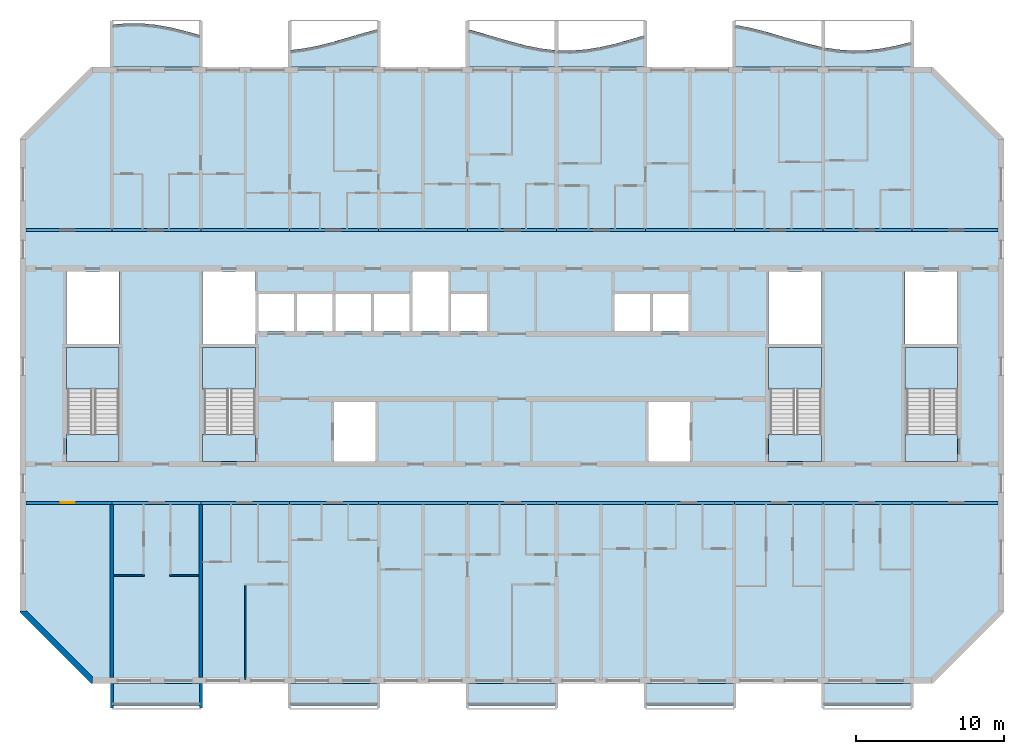
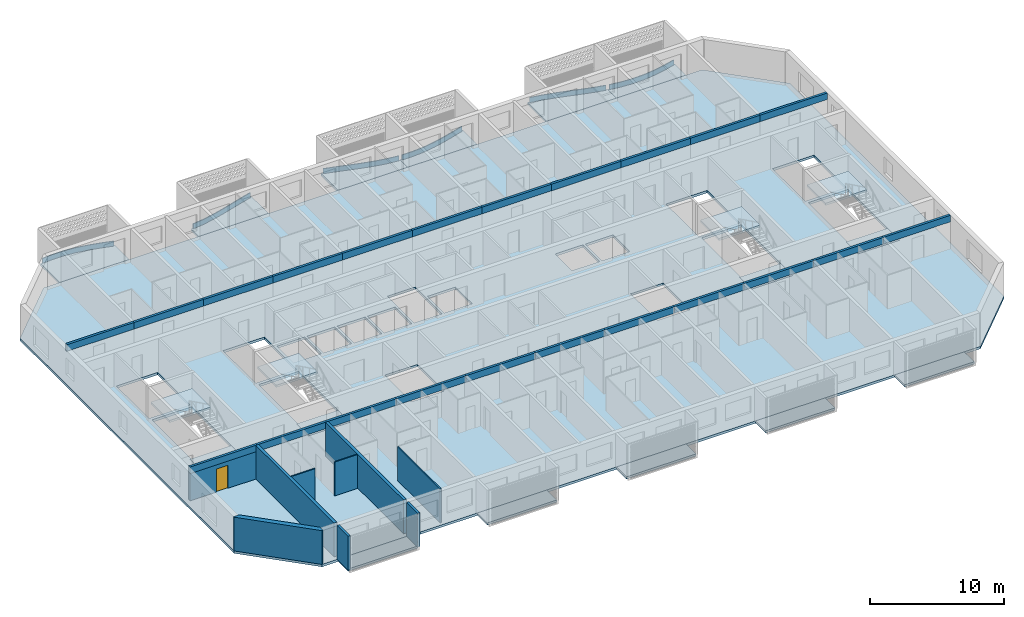
# One storey, part 1 of 26: 22 beams, 20 slabs, 9 walls, 6 plates, 1 door, 1 opening, 4 elements without a shape of their own.
"""IFC4 building model written with IfcOpenShell, lengths in metres."""

from ifc_helpers import new_model, si_unit, direction, frame, frame_2d, origin, origin_2d, place, context, subcontext, project, spatial, polyline, rectangle, outline, extrude, source, transform, mapped, material, layer, layer_set, material_profile, profile_set, type_object, element, fill, aggregate, save


model = new_model("IFC4")

# Units and contexts
model_context = context("Model", 3, precision=1e-05, world=origin(), true_north=direction((0.0, 1.0)))
body_context = subcontext(model_context, "Body", "Model", "MODEL_VIEW")
ifc_project = project(units=[si_unit("LENGTHUNIT", "METRE"), si_unit("AREAUNIT", "SQUARE_METRE"), si_unit("VOLUMEUNIT", "CUBIC_METRE"), si_unit("PLANEANGLEUNIT", "RADIAN"), si_unit("MASSUNIT", "GRAM", prefix="KILO")], contexts=[model_context])

# Site, building, storey
site_placement = place(None, origin())
site = spatial("IfcSite", under=ifc_project, at=site_placement, CompositionType="ELEMENT")
building_placement = place(site_placement, origin())
building = spatial("IfcBuilding", under=site, at=building_placement, Name="Poui Terraces", CompositionType="ELEMENT")
storey_placement = place(building_placement, frame((0.0, 0.0, 178.5)))
storey = spatial("IfcBuildingStorey", under=building, at=storey_placement, Name="L49", CompositionType="ELEMENT", Elevation=178.5)

# Beams
ifc_material_1 = material(Name="Concrete 50 MPa", Category="concrete")
ifc_material_profile = material_profile(ifc_material_1, rectangle(XDim=0.199951171875, YDim=0.60009765625, at=origin_2d()), Name="RC 200x600")
ifc_profile_set = profile_set([ifc_material_profile], Name="Concrete 50 MPa")
beam_type = type_object("IfcBeamType", Name="COUPLING BEAM 200x600 50MPa", PredefinedType="BEAM", material=ifc_profile_set)
shared_shape_1 = source(origin(), body_context, "Body", "SweptSolid", [
    extrude(rectangle(XDim=0.199951171875, YDim=0.60009765625, at=origin_2d()), origin(), (0.0, 0.0, 1.0), 5.800048828125),
])
for number, where, z_axis, x_axis, name in (
    (1, (18.199951171875, 12.0, 2.780029296875), (1.0, 0.0, 0.0), (0.0, 1.0, 0.0), "COUPLING BEAM LINE B BAY 1"),
    (2, (78.0, 12.0, 2.780029296875), (1.0, 0.0, 0.0), (0.0, 1.0, 0.0), "COUPLING BEAM LINE B BAY 11"),
    (3, (18.199951171875, 30.39990234375, 2.780029296875), (1.0, 0.0, 0.0), (0.0, 1.0, 0.0), "COUPLING BEAM LINE E BAY 1"),
    (4, (78.0, 30.39990234375, 2.780029296875), (1.0, 0.0, 0.0), (0.0, 1.0, 0.0), "COUPLING BEAM LINE E BAY 11"),
):
    element("IfcBeam", number, at=place(storey_placement, frame(where, z_axis=z_axis, x_axis=x_axis)), inside=storey, type_object=beam_type, Name=name, PredefinedType="BEAM", context=body_context, shape_type="MappedRepresentation", body=[
        mapped(shared_shape_1, transform((0.0, 0.0, 0.0))),
    ])
shared_shape_2 = source(origin(), body_context, "Body", "SweptSolid", [
    extrude(rectangle(XDim=0.199951171875, YDim=0.60009765625, at=origin_2d()), origin(), (0.0, 0.0, 1.0), 6.0),
])
for number, where, z_axis, x_axis, name in (
    (5, (24.0, 12.0, 2.780029296875), (1.0, 0.0, 0.0), (0.0, 1.0, 0.0), "COUPLING BEAM LINE B BAY 2"),
    (6, (30.0, 12.0, 2.780029296875), (1.0, 0.0, 0.0), (0.0, 1.0, 0.0), "COUPLING BEAM LINE B BAY 3"),
    (7, (36.0, 12.0, 2.780029296875), (1.0, 0.0, 0.0), (0.0, 1.0, 0.0), "COUPLING BEAM LINE B BAY 4"),
    (8, (42.0, 12.0, 2.780029296875), (1.0, 0.0, 0.0), (0.0, 1.0, 0.0), "COUPLING BEAM LINE B BAY 5"),
    (9, (48.0, 12.0, 2.780029296875), (1.0, 0.0, 0.0), (0.0, 1.0, 0.0), "COUPLING BEAM LINE B BAY 6"),
    (10, (54.0, 12.0, 2.780029296875), (1.0, 0.0, 0.0), (0.0, 1.0, 0.0), "COUPLING BEAM LINE B BAY 7"),
    (11, (60.0, 12.0, 2.780029296875), (1.0, 0.0, 0.0), (0.0, 1.0, 0.0), "COUPLING BEAM LINE B BAY 8"),
    (12, (66.0, 12.0, 2.780029296875), (1.0, 0.0, 0.0), (0.0, 1.0, 0.0), "COUPLING BEAM LINE B BAY 9"),
    (13, (72.0, 12.0, 2.780029296875), (1.0, 0.0, 0.0), (0.0, 1.0, 0.0), "COUPLING BEAM LINE B BAY 10"),
    (14, (24.0, 30.39990234375, 2.780029296875), (1.0, 0.0, 0.0), (0.0, 1.0, 0.0), "COUPLING BEAM LINE E BAY 2"),
    (15, (30.0, 30.39990234375, 2.780029296875), (1.0, 0.0, 0.0), (0.0, 1.0, 0.0), "COUPLING BEAM LINE E BAY 3"),
    (16, (36.0, 30.39990234375, 2.780029296875), (1.0, 0.0, 0.0), (0.0, 1.0, 0.0), "COUPLING BEAM LINE E BAY 4"),
    (17, (42.0, 30.39990234375, 2.780029296875), (1.0, 0.0, 0.0), (0.0, 1.0, 0.0), "COUPLING BEAM LINE E BAY 5"),
    (18, (48.0, 30.39990234375, 2.780029296875), (1.0, 0.0, 0.0), (0.0, 1.0, 0.0), "COUPLING BEAM LINE E BAY 6"),
    (19, (54.0, 30.39990234375, 2.780029296875), (1.0, 0.0, 0.0), (0.0, 1.0, 0.0), "COUPLING BEAM LINE E BAY 7"),
    (20, (60.0, 30.39990234375, 2.780029296875), (1.0, 0.0, 0.0), (0.0, 1.0, 0.0), "COUPLING BEAM LINE E BAY 8"),
    (21, (66.0, 30.39990234375, 2.780029296875), (1.0, 0.0, 0.0), (0.0, 1.0, 0.0), "COUPLING BEAM LINE E BAY 9"),
    (22, (72.0, 30.39990234375, 2.780029296875), (1.0, 0.0, 0.0), (0.0, 1.0, 0.0), "COUPLING BEAM LINE E BAY 10"),
):
    element("IfcBeam", number, at=place(storey_placement, frame(where, z_axis=z_axis, x_axis=x_axis)), inside=storey, type_object=beam_type, Name=name, PredefinedType="BEAM", context=body_context, shape_type="MappedRepresentation", body=[
        mapped(shared_shape_2, transform((0.0, 0.0, 0.0))),
    ])

# Slabs
ifc_material_2 = material(Name="Precast concrete 40 MPa", Category="concrete")
ifc_layer_1 = layer(ifc_material_2, 0.199951171875)
ifc_layer_set_1 = layer_set([ifc_layer_1], Name="Precast concrete 40 MPa")
slab_type_1 = type_object("IfcSlabType", Name="BALCONY SLAB 200", PredefinedType="FLOOR", material=ifc_layer_set_1)
slab_1_placement = place(storey_placement, frame((0.0, 0.0, -0.2001953125)))
element("IfcSlab", 23, at=slab_1_placement, inside=storey, type_object=slab_type_1, Name="BALCONY SLAB", PredefinedType="FLOOR", context=body_context, shape_type="SweptSolid", body=[
    extrude(outline(polyline([(24.0, 41.39990234375), (30.0, 41.39990234375), (30.0, 43.524169921875), (29.0, 43.810302734375), (28.0, 44.056884765625), (27.0, 44.23828125), (26.0, 44.3359375), (25.0, 44.33984375), (24.0, 44.249755859375), (24.0, 41.39990234375)])), origin(), (0.0, 0.0, 1.0), 0.2001953125),
])
slab_2_placement = place(storey_placement, frame((0.0, 0.0, -0.2001953125)))
element("IfcSlab", 24, at=slab_2_placement, inside=storey, type_object=slab_type_1, Name="BALCONY SLAB", PredefinedType="FLOOR", context=body_context, shape_type="SweptSolid", body=[
    extrude(outline(polyline([(36.0, 41.39990234375), (42.0, 41.39990234375), (42.0, 43.960693359375), (41.0, 43.6943359375), (40.0, 43.400146484375), (39.0, 43.108642578125), (38.0, 42.849609375), (37.0, 42.64990234375), (36.0, 42.52978515625), (36.0, 41.39990234375)])), origin(), (0.0, 0.0, 1.0), 0.2001953125),
])
slab_3_placement = place(storey_placement, frame((0.0, 0.0, -0.2001953125)))
element("IfcSlab", 25, at=slab_3_placement, inside=storey, type_object=slab_type_1, Name="BALCONY SLAB", PredefinedType="FLOOR", context=body_context, shape_type="SweptSolid", body=[
    extrude(outline(polyline([(48.0, 41.39990234375), (54.0, 41.39990234375), (54.0, 42.52392578125), (53.0, 42.63671875), (52.0, 42.830322265625), (51.0, 43.08544921875), (50.0, 43.375244140625), (49.0, 43.67041015625), (48.0, 43.940185546875), (48.0, 41.39990234375)])), origin(), (0.0, 0.0, 1.0), 0.2001953125),
])
slab_4_placement = place(storey_placement, frame((0.0, 0.0, -0.2001953125)))
element("IfcSlab", 26, at=slab_4_placement, inside=storey, type_object=slab_type_1, Name="BALCONY SLAB", PredefinedType="FLOOR", context=body_context, shape_type="SweptSolid", body=[
    extrude(outline(polyline([(54.0, 41.39990234375), (60.0, 41.39990234375), (60.0, 43.548828125), (59.0, 43.252197265625), (58.0, 42.973388671875), (57.0, 42.740966796875), (56.0, 42.5791015625), (55.0, 42.504150390625), (54.0, 42.52392578125), (54.0, 41.39990234375)])), origin(), (0.0, 0.0, 1.0), 0.2001953125),
])
slab_5_placement = place(storey_placement, frame((0.0, 0.0, -0.2001953125)))
element("IfcSlab", 27, at=slab_5_placement, inside=storey, type_object=slab_type_1, Name="BALCONY SLAB", PredefinedType="FLOOR", context=body_context, shape_type="SweptSolid", body=[
    extrude(outline(polyline([(66.0, 41.39990234375), (72.0, 41.39990234375), (72.0, 42.724609375), (71.0, 42.951904296875), (70.0, 43.227783203125), (69.0, 43.524169921875), (68.0, 43.810302734375), (67.0, 44.056884765625), (66.0, 44.23828125), (66.0, 41.39990234375)])), origin(), (0.0, 0.0, 1.0), 0.2001953125),
])
slab_6_placement = place(storey_placement, frame((0.0, 0.0, -0.2001953125)))
element("IfcSlab", 28, at=slab_6_placement, inside=storey, type_object=slab_type_1, Name="BALCONY SLAB", PredefinedType="FLOOR", context=body_context, shape_type="SweptSolid", body=[
    extrude(outline(polyline([(72.0, 41.39990234375), (78.0, 41.39990234375), (78.0, 43.108642578125), (77.0, 42.849609375), (76.0, 42.64990234375), (75.0, 42.52978515625), (74.0, 42.502197265625), (73.0, 42.569091796875), (72.0, 42.724609375), (72.0, 41.39990234375)])), origin(), (0.0, 0.0, 1.0), 0.2001953125),
])

# Stair, slabs
stair_type = type_object("IfcStairType", Name="EXIT STAIR 1650 50 MPA", PredefinedType="HALF_TURN_STAIR", material=ifc_material_1)
stair_1_placement = place(storey_placement, origin())
stair_1 = element("IfcStair", 29, at=stair_1_placement, inside=storey, type_object=stair_type, Name="L49 CORE STAIR EAST", PredefinedType="HALF_TURN_STAIR")
ifc_layer_2 = layer(ifc_material_1, 0.199951171875)
ifc_layer_set_2 = layer_set([ifc_layer_2], Name="Concrete 50 MPa")
slab_type_2 = type_object("IfcSlabType", Name="STAIR LANDING 200 50 MPA", PredefinedType="LANDING", material=ifc_layer_set_2)
slab_7_placement = place(storey_placement, frame((0.0, 0.0, 1.449951171875)))
slab_7 = element("IfcSlab", 30, at=slab_7_placement, type_object=slab_type_2, Name="ST-CE landing 1", PredefinedType="LANDING", context=body_context, shape_type="SweptSolid", body=[
    extrude(outline(polyline([(68.324951171875, 19.679931640625), (71.875, 19.679931640625), (71.875, 22.47509765625), (68.324951171875, 22.47509765625), (68.324951171875, 19.679931640625)])), origin(), (0.0, 0.0, 1.0), 0.199951171875),
])
slab_8_placement = place(storey_placement, frame((0.0, 0.0, -0.2001953125)))
slab_8 = element("IfcSlab", 31, at=slab_8_placement, type_object=slab_type_2, Name="ST-CE landing 2", PredefinedType="LANDING", context=body_context, shape_type="SweptSolid", body=[
    extrude(outline(polyline([(68.324951171875, 14.800048828125), (71.875, 14.800048828125), (71.875, 16.60009765625), (68.324951171875, 16.60009765625), (68.324951171875, 14.800048828125)])), origin(), (0.0, 0.0, 1.0), 0.2001953125),
])
aggregate(stair_1, [slab_7, slab_8])

stair_2_placement = place(storey_placement, origin())
stair_2 = element("IfcStair", 32, at=stair_2_placement, inside=storey, type_object=stair_type, Name="L49 CORE STAIR WEST", PredefinedType="HALF_TURN_STAIR")
slab_9_placement = place(storey_placement, frame((0.0, 0.0, 1.449951171875)))
slab_9 = element("IfcSlab", 33, at=slab_9_placement, type_object=slab_type_2, Name="ST-CW landing 1", PredefinedType="LANDING", context=body_context, shape_type="SweptSolid", body=[
    extrude(outline(polyline([(30.125, 19.679931640625), (33.675048828125, 19.679931640625), (33.675048828125, 22.47509765625), (30.125, 22.47509765625), (30.125, 19.679931640625)])), origin(), (0.0, 0.0, 1.0), 0.199951171875),
])
slab_10_placement = place(storey_placement, frame((0.0, 0.0, -0.2001953125)))
slab_10 = element("IfcSlab", 34, at=slab_10_placement, type_object=slab_type_2, Name="ST-CW landing 2", PredefinedType="LANDING", context=body_context, shape_type="SweptSolid", body=[
    extrude(outline(polyline([(30.125, 14.800048828125), (33.675048828125, 14.800048828125), (33.675048828125, 16.60009765625), (30.125, 16.60009765625), (30.125, 14.800048828125)])), origin(), (0.0, 0.0, 1.0), 0.2001953125),
])
aggregate(stair_2, [slab_9, slab_10])

stair_3_placement = place(storey_placement, origin())
stair_3 = element("IfcStair", 35, at=stair_3_placement, inside=storey, type_object=stair_type, Name="L49 TIP STAIR EAST", PredefinedType="HALF_TURN_STAIR")
slab_11_placement = place(storey_placement, frame((0.0, 0.0, 1.449951171875)))
slab_11 = element("IfcSlab", 36, at=slab_11_placement, type_object=slab_type_2, Name="ST-E landing 1", PredefinedType="LANDING", context=body_context, shape_type="SweptSolid", body=[
    extrude(outline(polyline([(77.52490234375, 19.679931640625), (81.074951171875, 19.679931640625), (81.074951171875, 22.47509765625), (77.52490234375, 22.47509765625), (77.52490234375, 19.679931640625)])), origin(), (0.0, 0.0, 1.0), 0.199951171875),
])
slab_12_placement = place(storey_placement, frame((0.0, 0.0, -0.2001953125)))
slab_12 = element("IfcSlab", 37, at=slab_12_placement, type_object=slab_type_2, Name="ST-E landing 2", PredefinedType="LANDING", context=body_context, shape_type="SweptSolid", body=[
    extrude(outline(polyline([(77.52490234375, 14.800048828125), (81.074951171875, 14.800048828125), (81.074951171875, 16.60009765625), (77.52490234375, 16.60009765625), (77.52490234375, 14.800048828125)])), origin(), (0.0, 0.0, 1.0), 0.2001953125),
])
aggregate(stair_3, [slab_11, slab_12])

stair_4_placement = place(storey_placement, origin())
stair_4 = element("IfcStair", 38, at=stair_4_placement, inside=storey, type_object=stair_type, Name="L49 TIP STAIR WEST", PredefinedType="HALF_TURN_STAIR")
slab_13_placement = place(storey_placement, frame((0.0, 0.0, 1.449951171875)))
slab_13 = element("IfcSlab", 39, at=slab_13_placement, type_object=slab_type_2, Name="ST-W landing 1", PredefinedType="LANDING", context=body_context, shape_type="SweptSolid", body=[
    extrude(outline(polyline([(20.925048828125, 19.679931640625), (24.47509765625, 19.679931640625), (24.47509765625, 22.47509765625), (20.925048828125, 22.47509765625), (20.925048828125, 19.679931640625)])), origin(), (0.0, 0.0, 1.0), 0.199951171875),
])
slab_14_placement = place(storey_placement, frame((0.0, 0.0, -0.2001953125)))
slab_14 = element("IfcSlab", 40, at=slab_14_placement, type_object=slab_type_2, Name="ST-W landing 2", PredefinedType="LANDING", context=body_context, shape_type="SweptSolid", body=[
    extrude(outline(polyline([(20.925048828125, 14.800048828125), (24.47509765625, 14.800048828125), (24.47509765625, 16.60009765625), (20.925048828125, 16.60009765625), (20.925048828125, 14.800048828125)])), origin(), (0.0, 0.0, 1.0), 0.2001953125),
])
aggregate(stair_4, [slab_13, slab_14])

# Plates
ifc_layer_3 = layer(ifc_material_2, 0.080078125)
ifc_layer_set_3 = layer_set([ifc_layer_3], Name="Precast concrete 40 MPa")
plate_type = type_object("IfcPlateType", Name="SUNSHADE UPSTAND 80", PredefinedType="SHEET", material=ifc_layer_set_3)
plate_1_placement = place(storey_placement, origin())
element("IfcPlate", 41, at=plate_1_placement, inside=storey, type_object=plate_type, Name="SUNSHADE UPSTAND", PredefinedType="SHEET", context=body_context, shape_type="SweptSolid", body=[
    extrude(outline(polyline([(24.998291015625, 44.3349609375), (24.13671875, 44.26220703125), (24.12158203125, 44.2607421875), (24.12841796875, 44.18115234375), (25.001708984375, 44.2548828125), (25.998046875, 44.2509765625), (26.994384765625, 44.153564453125), (27.99169921875, 43.97265625), (28.98974609375, 43.7265625), (29.864013671875, 43.4775390625), (29.885986328125, 43.5546875), (29.01025390625, 43.803955078125), (28.00830078125, 44.05078125), (27.005615234375, 44.23291015625), (26.001953125, 44.330810546875), (24.998291015625, 44.3349609375)])), origin(), (0.0, 0.0, 1.0), 0.449951171875),
])
plate_2_placement = place(storey_placement, origin())
element("IfcPlate", 42, at=plate_2_placement, inside=storey, type_object=plate_type, Name="SUNSHADE UPSTAND", PredefinedType="SHEET", context=body_context, shape_type="SweptSolid", body=[
    extrude(outline(polyline([(36.99365234375, 42.644287109375), (36.1201171875, 42.53466796875), (36.1298828125, 42.455322265625), (37.00634765625, 42.5654296875), (38.0087890625, 42.765625), (39.010498046875, 43.025146484375), (40.01123046875, 43.31689453125), (41.0107421875, 43.61083984375), (41.885498046875, 43.84619140625), (41.864501953125, 43.923583984375), (40.9892578125, 43.687744140625), (39.98876953125, 43.3935546875), (38.989501953125, 43.102294921875), (37.9912109375, 42.84375), (36.99365234375, 42.644287109375)])), origin(), (0.0, 0.0, 1.0), 0.449951171875),
])
plate_3_placement = place(storey_placement, origin())
element("IfcPlate", 43, at=plate_3_placement, inside=storey, type_object=plate_type, Name="SUNSHADE UPSTAND", PredefinedType="SHEET", context=body_context, shape_type="SweptSolid", body=[
    extrude(outline(polyline([(49.010986328125, 43.663818359375), (48.135498046875, 43.90234375), (48.114501953125, 43.8251953125), (48.989013671875, 43.5869140625), (49.98876953125, 43.2919921875), (50.989501953125, 43.001708984375), (51.9912109375, 42.746337890625), (52.993896484375, 42.552001953125), (53.870361328125, 42.448486328125), (53.879638671875, 42.52783203125), (53.006103515625, 42.631103515625), (52.0087890625, 42.824462890625), (51.010498046875, 43.0791015625), (50.01123046875, 43.36865234375), (49.010986328125, 43.663818359375)])), origin(), (0.0, 0.0, 1.0), 0.449951171875),
])
plate_4_placement = place(storey_placement, origin())
element("IfcPlate", 44, at=plate_4_placement, inside=storey, type_object=plate_type, Name="SUNSHADE UPSTAND", PredefinedType="SHEET", context=body_context, shape_type="SweptSolid", body=[
    extrude(outline(polyline([(54.998779296875, 42.4990234375), (54.12548828125, 42.51123046875), (54.12451171875, 42.431396484375), (55.001220703125, 42.419189453125), (56.004638671875, 42.494140625), (57.0078125, 42.65673828125), (58.010009765625, 42.889404296875), (59.010986328125, 43.168701171875), (59.886474609375, 43.428466796875), (59.863525390625, 43.505126953125), (58.989013671875, 43.24560546875), (57.989990234375, 42.967041015625), (56.9921875, 42.735107421875), (55.995361328125, 42.57373046875), (54.998779296875, 42.4990234375)])), origin(), (0.0, 0.0, 1.0), 0.449951171875),
])
plate_5_placement = place(storey_placement, origin())
element("IfcPlate", 45, at=plate_5_placement, inside=storey, type_object=plate_type, Name="SUNSHADE UPSTAND", PredefinedType="SHEET", context=body_context, shape_type="SweptSolid", body=[
    extrude(outline(polyline([(67.008544921875, 44.05078125), (66.13232421875, 44.214111328125), (66.11767578125, 44.135498046875), (66.991455078125, 43.97265625), (67.98974609375, 43.7265625), (68.98876953125, 43.44091796875), (69.989013671875, 43.144287109375), (70.990234375, 42.867919921875), (71.865966796875, 42.665283203125), (71.884033203125, 42.743408203125), (71.009765625, 42.945556640625), (70.010986328125, 43.22119140625), (69.01123046875, 43.517578125), (68.01025390625, 43.803955078125), (67.008544921875, 44.05078125)])), origin(), (0.0, 0.0, 1.0), 0.449951171875),
])
plate_6_placement = place(storey_placement, origin())
element("IfcPlate", 46, at=plate_6_placement, inside=storey, type_object=plate_type, Name="SUNSHADE UPSTAND", PredefinedType="SHEET", context=body_context, shape_type="SweptSolid", body=[
    extrude(outline(polyline([(73.00439453125, 42.56396484375), (72.130859375, 42.6953125), (72.119140625, 42.6162109375), (72.99560546875, 42.484375), (73.999267578125, 42.4169921875), (75.0029296875, 42.445068359375), (76.00634765625, 42.5654296875), (77.0087890625, 42.765625), (77.885009765625, 42.989990234375), (77.864990234375, 43.067626953125), (76.9912109375, 42.84375), (75.99365234375, 42.644287109375), (74.9970703125, 42.52490234375), (74.000732421875, 42.4970703125), (73.00439453125, 42.56396484375)])), origin(), (0.0, 0.0, 1.0), 0.449951171875),
])

# Slabs
ifc_material_3 = material(Name="Concrete 40 MPa", Category="concrete")
ifc_layer_4 = layer(ifc_material_3, 0.219970703125)
ifc_layer_set_4 = layer_set([ifc_layer_4], Name="Concrete 40 MPa")
slab_type_3 = type_object("IfcSlabType", Name="FLOOR SLAB 220", PredefinedType="FLOOR", material=ifc_layer_set_4)
shared_shape_3 = source(origin(), body_context, "Body", "SweptSolid", [
    extrude(outline(polyline([(0.0, 0.0), (4.800048828125, -4.800048828125), (61.599853515625, -4.800048828125), (66.39990234375, 0.0), (66.39990234375, 32.0), (61.599853515625, 36.7998046875), (4.800048828125, 36.7998046875), (0.0, 32.0), (0.0, 0.0)]), holes=[polyline([(21.199951171875, 10.199951171875), (21.199951171875, 14.199951171875), (24.0, 14.199951171875), (24.0, 10.199951171875), (21.199951171875, 10.199951171875)]), polyline([(3.224853515625, 17.849853515625), (6.675048828125, 17.849853515625), (6.675048828125, 12.0), (6.675048828125, 10.199951171875), (3.125, 10.199951171875), (3.125, 12.0), (3.224853515625, 12.0), (3.224853515625, 17.849853515625)]), polyline([(12.425048828125, 17.849853515625), (15.875, 17.849853515625), (15.875, 12.0), (15.875, 10.199951171875), (12.324951171875, 10.199951171875), (12.324951171875, 12.0), (12.425048828125, 12.0), (12.425048828125, 17.849853515625)]), polyline([(16.099853515625, 19.0), (16.099853515625, 21.5), (18.5, 21.5), (18.5, 19.0), (16.099853515625, 19.0)]), polyline([(18.699951171875, 19.0), (18.699951171875, 21.5), (21.099853515625, 21.5), (21.099853515625, 19.0), (18.699951171875, 19.0)]), polyline([(21.300048828125, 19.0), (21.300048828125, 21.5), (23.699951171875, 21.5), (23.699951171875, 19.0), (21.300048828125, 19.0)]), polyline([(23.89990234375, 19.0), (23.89990234375, 21.5), (26.300048828125, 21.5), (26.300048828125, 19.0), (23.89990234375, 19.0)]), polyline([(3.125, 23.0), (6.675048828125, 23.0), (6.675048828125, 18.125), (3.125, 18.125), (3.125, 23.0)]), polyline([(12.324951171875, 23.0), (15.875, 23.0), (15.875, 18.125), (12.324951171875, 18.125), (12.324951171875, 23.0)]), polyline([(42.39990234375, 10.199951171875), (42.39990234375, 14.199951171875), (45.199951171875, 14.199951171875), (45.199951171875, 10.199951171875), (42.39990234375, 10.199951171875)]), polyline([(50.625, 17.849853515625), (54.074951171875, 17.849853515625), (54.074951171875, 12.0), (54.074951171875, 10.199951171875), (50.52490234375, 10.199951171875), (50.52490234375, 12.0), (50.625, 12.0), (50.625, 17.849853515625)]), polyline([(59.824951171875, 17.849853515625), (63.27490234375, 17.849853515625), (63.27490234375, 12.0), (63.27490234375, 10.199951171875), (59.724853515625, 10.199951171875), (59.724853515625, 12.0), (59.824951171875, 12.0), (59.824951171875, 17.849853515625)]), polyline([(29.099853515625, 19.0), (29.099853515625, 21.5), (31.5, 21.5), (31.5, 19.0), (29.099853515625, 19.0)]), polyline([(40.099853515625, 19.0), (40.099853515625, 21.5), (42.5, 21.5), (42.5, 19.0), (40.099853515625, 19.0)]), polyline([(42.699951171875, 19.0), (42.699951171875, 21.5), (45.099853515625, 21.5), (45.099853515625, 19.0), (42.699951171875, 19.0)]), polyline([(50.52490234375, 18.125), (50.52490234375, 23.0), (54.074951171875, 23.0), (54.074951171875, 18.125), (50.52490234375, 18.125)]), polyline([(59.724853515625, 23.0), (63.27490234375, 23.0), (63.27490234375, 18.125), (59.724853515625, 18.125), (59.724853515625, 23.0)]), polyline([(26.5, 23.0), (28.89990234375, 23.0), (28.89990234375, 19.0), (26.5, 19.0), (26.5, 23.0)])]), origin(), (0.0, 0.0, 1.0), 0.22021484375),
])
slab_15_placement = place(storey_placement, frame((17.800048828125, 4.60009765625, -0.22021484375)))
element("IfcSlab", 47, at=slab_15_placement, inside=storey, type_object=slab_type_3, Name="FLOOR SLAB", PredefinedType="FLOOR", context=body_context, shape_type="MappedRepresentation", body=[
    mapped(shared_shape_3, transform((0.0, 0.0, 0.0))),
])
ifc_layer_5 = layer(ifc_material_2, 0.199951171875)
ifc_layer_set_5 = layer_set([ifc_layer_5], Name="Precast concrete 40 MPa")
slab_type_4 = type_object("IfcSlabType", Name="REAR BALCONY SLAB 200", PredefinedType="FLOOR", material=ifc_layer_set_5)
shared_shape_4 = source(origin(), body_context, "Body", "SweptSolid", [
    extrude(outline(polyline([(0.0, 0.0), (6.0, 0.0), (6.0, 1.5), (0.0, 1.5), (0.0, 0.0)])), origin(), (0.0, 0.0, 1.0), 0.2001953125),
])
for number, where, name in (
    (48, (24.0, -1.699951171875, -0.2001953125), "REAR BALCONY SLAB"),
    (49, (36.0, -1.699951171875, -0.2001953125), "REAR BALCONY SLAB"),
    (50, (48.0, -1.699951171875, -0.2001953125), "REAR BALCONY SLAB"),
    (51, (60.0, -1.699951171875, -0.2001953125), "REAR BALCONY SLAB"),
    (52, (72.0, -1.699951171875, -0.2001953125), "REAR BALCONY SLAB"),
):
    element("IfcSlab", number, at=place(storey_placement, frame(where)), inside=storey, type_object=slab_type_4, Name=name, PredefinedType="FLOOR", context=body_context, shape_type="MappedRepresentation", body=[
        mapped(shared_shape_4, transform((0.0, 0.0, 0.0))),
    ])

# Wall, opening, door
ifc_layer_6 = layer(ifc_material_1, 0.199951171875)
ifc_layer_set_6 = layer_set([ifc_layer_6], Name="Concrete 50 MPa")
wall_type_1 = type_object("IfcWallType", Name="CORRIDOR WALL 200 50MPa", PredefinedType="SHEAR", material=ifc_layer_set_6)
wall_1_placement = place(storey_placement, frame((18.199951171875, 12.0, 0.0), z_axis=(0.0, 0.0, 1.0), x_axis=(1.0, 0.0, 0.0)))
wall_1 = element("IfcWall", 53, at=wall_1_placement, inside=storey, type_object=wall_type_1, Name="CORRIDOR WALL LINE B BAY 1", PredefinedType="SHEAR", context=body_context, shape_type="SweptSolid", body=[
    extrude(rectangle(XDim=5.800048828125, YDim=0.199951171875, at=frame_2d((2.89990234375, 0.0))), origin(), (0.0, 0.0, 1.0), 2.47998046875),
])
opening_placement = place(wall_1_placement, frame((2.300048828125, 0.0, 0.0)))
opening = element("IfcOpeningElement", 54, at=opening_placement, cuts=wall_1, Name="Opening D100", PredefinedType="OPENING", context=body_context, shape_type="SweptSolid", body=[
    extrude(rectangle(XDim=1.0, YDim=2.10009765625, at=frame_2d((0.5, 1.050048828125))), frame((0.0, 0.10986328125, 0.0), z_axis=(0.0, -1.0, 0.0), x_axis=(1.0, 0.0, 0.0)), (0.0, 0.0, 1.0), 0.219970703125),
])
ifc_material_4 = material(Name="Solid core timber door", Category="wood")
door_type = type_object("IfcDoorType", Name="ACCESSIBLE INTERNAL DOOR 1000 X 2100", OperationType="NOTDEFINED", PredefinedType="DOOR", material=ifc_material_4)
door_placement = place(opening_placement, frame((1.0, 0.0, 0.0), z_axis=(0.0, 0.0, 1.0), x_axis=(-1.0, 0.0, 0.0)))
door = element("IfcDoor", 55, at=door_placement, inside=storey, type_object=door_type, Name="ACCESSIBLE INTERNAL DOOR 062", OperationType="SINGLE_SWING_RIGHT", OverallHeight=2.10009765625, OverallWidth=1.0, PredefinedType="DOOR", context=body_context, shape_type="SweptSolid", body=[
    extrude(rectangle(XDim=1.0, YDim=2.10009765625, at=frame_2d((0.5, 1.050048828125))), frame((0.0, 0.02490234375, 0.0), z_axis=(0.0, -1.0, 0.0), x_axis=(1.0, 0.0, 0.0)), (0.0, 0.0, 1.0), 0.050048828125),
])
fill(opening, door)

# Walls
ifc_layer_7 = layer(ifc_material_1, 0.25)
ifc_layer_set_7 = layer_set([ifc_layer_7], Name="Concrete 50 MPa")
wall_type_2 = type_object("IfcWallType", Name="CROSS WALL 250 50MPa", PredefinedType="SHEAR", material=ifc_layer_set_7)
for number, where, z_axis, x_axis, name in (
    (56, (24.0, 0.199951171875, 0.0), (0.0, 0.0, 1.0), (0.0, 1.0, 0.0), "CROSS WALL LINE 5 SOUTH"),
    (57, (30.0, 0.199951171875, 0.0), (0.0, 0.0, 1.0), (0.0, 1.0, 0.0), "CROSS WALL LINE 6 SOUTH"),
):
    element("IfcWall", number, at=place(storey_placement, frame(where, z_axis=z_axis, x_axis=x_axis)), inside=storey, type_object=wall_type_2, Name=name, PredefinedType="SHEAR", context=body_context, shape_type="SweptSolid", body=[
        extrude(rectangle(XDim=11.699951171875, YDim=0.25, at=frame_2d((5.85009765625, 0.0))), origin(), (0.0, 0.0, 1.0), 3.080078125),
    ])
ifc_material_5 = material(Name="Plasterboard partition")
ifc_layer_8 = layer(ifc_material_5, 0.10009765625)
ifc_layer_set_8 = layer_set([ifc_layer_8], Name="Plasterboard partition")
wall_type_3 = type_object("IfcWallType", Name="FLAT PARTITION 100", PredefinedType="PARTITIONING", material=ifc_layer_set_8)
wall_2_placement = place(storey_placement, frame((24.135009765625, 7.10009765625, 0.0), z_axis=(0.0, 0.0, 1.0), x_axis=(1.0, 0.0, 0.0)))
element("IfcWall", 58, at=wall_2_placement, inside=storey, type_object=wall_type_3, Name="FLAT PARTITION 100", PredefinedType="PARTITIONING", context=body_context, shape_type="SweptSolid", body=[
    extrude(rectangle(XDim=2.06494140625, YDim=0.10009765625, at=frame_2d((1.032470703125, 0.0))), origin(), (0.0, 0.0, 1.0), 3.080078125),
])
wall_3_placement = place(storey_placement, frame((27.89990234375, 7.10009765625, 0.0), z_axis=(0.0, 0.0, 1.0), x_axis=(1.0, 0.0, 0.0)))
element("IfcWall", 59, at=wall_3_placement, inside=storey, type_object=wall_type_3, Name="FLAT PARTITION 100", PredefinedType="PARTITIONING", context=body_context, shape_type="SweptSolid", body=[
    extrude(rectangle(XDim=1.965087890625, YDim=0.10009765625, at=frame_2d((0.982421875, 0.0))), origin(), (0.0, 0.0, 1.0), 3.080078125),
])
wall_4_placement = place(storey_placement, frame((33.0, 0.06005859375, 0.0), z_axis=(0.0, 0.0, 1.0), x_axis=(0.0, 1.0, 0.0)))
element("IfcWall", 60, at=wall_4_placement, inside=storey, type_object=wall_type_3, Name="FLAT PARTITION 100", PredefinedType="PARTITIONING", context=body_context, shape_type="SweptSolid", body=[
    extrude(rectangle(XDim=6.389892578125, YDim=0.10009765625, at=frame_2d((3.19482421875, 0.0))), origin(), (0.0, 0.0, 1.0), 3.080078125),
])
ifc_layer_9 = layer(ifc_material_2, 0.39990234375)
ifc_layer_set_9 = layer_set([ifc_layer_9], Name="Precast concrete 40 MPa")
wall_type_4 = type_object("IfcWallType", Name="TERRACOTTA CLAD CHAMFER WALL 400", PredefinedType="STANDARD", material=ifc_layer_set_9)
wall_5_placement = place(storey_placement, origin())
element("IfcWall", 61, at=wall_5_placement, inside=storey, type_object=wall_type_4, Name="CHAMFER WALL CH07", PredefinedType="STANDARD", context=body_context, shape_type="SweptSolid", body=[
    extrude(outline(polyline([(17.800048828125, 4.682861328125), (17.800048828125, 4.60009765625), (22.60009765625, -0.199951171875), (22.682861328125, -0.199951171875), (22.682861328125, 0.28271484375), (18.28271484375, 4.682861328125), (17.800048828125, 4.682861328125)])), origin(), (0.0, 0.0, 1.0), 3.080078125),
])
ifc_layer_10 = layer(ifc_material_2, 0.199951171875)
ifc_layer_set_10 = layer_set([ifc_layer_10], Name="Precast concrete 40 MPa")
wall_type_5 = type_object("IfcWallType", Name="REAR FIN 200", PredefinedType="STANDARD", material=ifc_layer_set_10)
shared_shape_5 = source(origin(), body_context, "Body", "SweptSolid", [
    extrude(outline(polyline([(0.0, 0.0), (0.2001953125, 0.0), (0.2001953125, 1.650146484375), (0.0, 1.650146484375), (0.0, 0.0)])), origin(), (0.0, 0.0, 1.0), 3.10009765625),
])
for number, where, name in (
    (62, (23.89990234375, -1.85009765625, 0.0), "REAR FIN"),
    (63, (29.89990234375, -1.85009765625, 0.0), "REAR FIN"),
):
    element("IfcWall", number, at=place(storey_placement, frame(where)), inside=storey, type_object=wall_type_5, Name=name, PredefinedType="STANDARD", context=body_context, shape_type="MappedRepresentation", body=[
        mapped(shared_shape_5, transform((0.0, 0.0, 0.0))),
    ])

save(model, "model.ifc")
